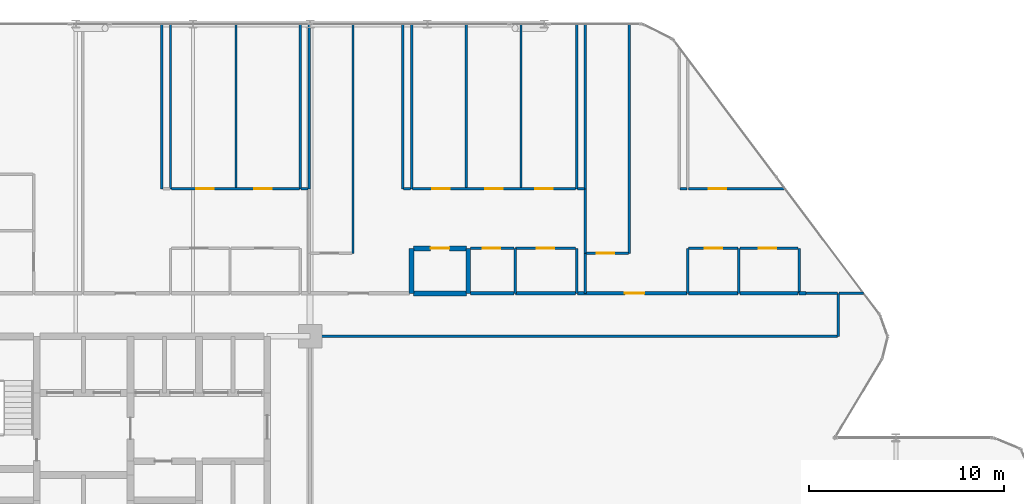
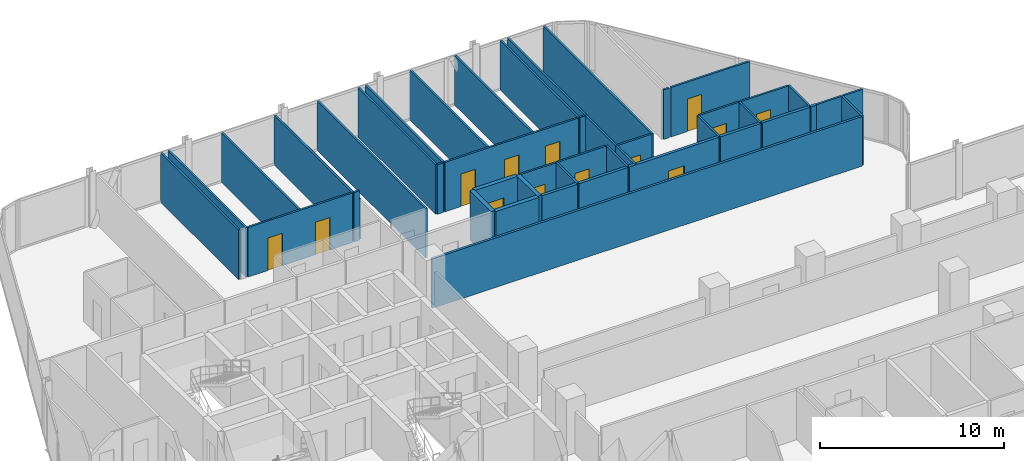
# One storey, part 31 of 33: 46 walls, 13 doors, 13 openings.
"""IFC4 building model written with IfcOpenShell, lengths in metres."""

import ifcopenshell
import ifcopenshell.guid

model = None  # the IFC model being written
_history = None  # IfcOwnerHistory: only IFC2X3 demands one
_inside = {}  # id of a spatial element -> (the spatial element, [elements in it])
_under = {}  # id of a project, library or spatial element -> (it, [spatial elements below it])
_declared = {}  # id of a project -> (the project, [libraries it declares])
_typed = {}  # id of a type object -> (the type object, [elements of that type])
_made_of = {}  # id of a material, layer set ... -> (it, [elements and type objects made of it])


def new_model(schema):
    """Start an empty IFC model of exactly this schema.

    Asked for "IFC4X3", IfcOpenShell would pick the latest addendum, in which some entities
    have other attributes; the version numbers below select the first issue.
    IFC2X3 requires an IfcOwnerHistory on every rooted entity: one is made here for all.
    """
    global model, _history
    if schema == "IFC4X3":
        model = ifcopenshell.file(schema_version=(4, 3, 0, 0))
    else:
        model = ifcopenshell.file(schema=schema)
    _inside.clear()
    _under.clear()
    _declared.clear()
    _typed.clear()
    _made_of.clear()
    _history = None
    if model.schema == "IFC2X3":
        org = make("IfcOrganization", Name="unknown")
        user = make(
            "IfcPersonAndOrganization",
            ThePerson=make("IfcPerson", FamilyName="unknown"),
            TheOrganization=org,
        )
        app = make(
            "IfcApplication",
            ApplicationDeveloper=org,
            Version="unknown",
            ApplicationFullName="unknown",
            ApplicationIdentifier="unknown",
        )
        _history = make(
            "IfcOwnerHistory",
            OwningUser=user,
            OwningApplication=app,
            ChangeAction="ADDED",
            CreationDate=0,
        )
    return model


def make(cls, **values):
    """One entity of the class cls with the attributes given. An attribute that is None is left unset."""
    return model.create_entity(
        cls, **{name: value for name, value in values.items() if value is not None}
    )


def rooted(cls, **values):
    """An entity with a GlobalId (a new one), such as an element, a storey or a relation."""
    return make(cls, GlobalId=ifcopenshell.guid.new(), OwnerHistory=_history, **values)


def si_unit(unit_type, name, prefix=None):
    """IfcSIUnit, for example si_unit("LENGTHUNIT", "METRE", prefix="MILLI")."""
    return make("IfcSIUnit", UnitType=unit_type, Prefix=prefix, Name=name)


def assignment(units):
    """IfcUnitAssignment: the units of a project."""
    return None if units is None else make("IfcUnitAssignment", Units=units)


def point(xyz):
    """IfcCartesianPoint."""
    return None if xyz is None else make("IfcCartesianPoint", Coordinates=xyz)


def direction(xyz):
    """IfcDirection."""
    return None if xyz is None else make("IfcDirection", DirectionRatios=xyz)


def frame(location, z_axis=None, x_axis=None):
    """IfcAxis2Placement3D, a coordinate frame: its origin and axes. An axis left out is left unset."""
    return make(
        "IfcAxis2Placement3D",
        Location=point(location),
        Axis=direction(z_axis),
        RefDirection=direction(x_axis),
    )


def frame_2d(location, x_axis=None):
    """IfcAxis2Placement2D, a coordinate frame in the plane: its origin and x axis."""
    return make(
        "IfcAxis2Placement2D", Location=point(location), RefDirection=direction(x_axis)
    )


def origin():
    """The frame at (0, 0, 0) with its axes left unset."""
    return frame((0.0, 0.0, 0.0))


def place(relative_to, where):
    """IfcLocalPlacement: puts the frame where relative to a parent placement (None: the world)."""
    return make(
        "IfcLocalPlacement", PlacementRelTo=relative_to, RelativePlacement=where
    )


def context(
    kind, dimensions, precision=None, world=None, true_north=None, identifier=None
):
    """IfcGeometricRepresentationContext, for example the 3D "Model" context."""
    return make(
        "IfcGeometricRepresentationContext",
        ContextIdentifier=identifier,
        ContextType=kind,
        CoordinateSpaceDimension=dimensions,
        Precision=precision,
        WorldCoordinateSystem=world,
        TrueNorth=true_north,
    )


def subcontext(parent, identifier, kind, view, scale=None):
    """IfcGeometricRepresentationSubContext, for example "Body" below "Model"."""
    return make(
        "IfcGeometricRepresentationSubContext",
        ContextIdentifier=identifier,
        ContextType=kind,
        ParentContext=parent,
        TargetScale=scale,
        TargetView=view,
    )


def project(units=None, contexts=None):
    """IfcProject with its units and contexts."""
    return rooted(
        "IfcProject",
        Name="project",
        RepresentationContexts=contexts,
        UnitsInContext=assignment(units),
    )


def spatial(cls, under=None, at=None, **own):
    """A site, building, storey or space (cls), placed at a placement, below another one or the project."""
    s = rooted(cls, ObjectPlacement=at, **own)
    if under is not None:
        _under.setdefault(under.id(), (under, []))[1].append(s)
    return s


def profile(cls, at=None, kind="AREA", **sizes):
    """A parametric profile (cls). Its sizes go by their IFC names, for example OverallWidth=200.0."""
    return make(cls, ProfileType=kind, Position=at, **sizes)


def rectangle(**sizes):
    """IfcRectangleProfileDef."""
    return profile("IfcRectangleProfileDef", **sizes)


def extrude(swept, where, along, depth):
    """IfcExtrudedAreaSolid: the profile swept, set in the frame where, extruded along a direction by depth."""
    return make(
        "IfcExtrudedAreaSolid",
        SweptArea=swept,
        Position=where,
        ExtrudedDirection=direction(along),
        Depth=depth,
    )


def shape(context_of_items, identifier, shape_type, items):
    """IfcShapeRepresentation: the items that make up one representation, for example the "Body"."""
    return make(
        "IfcShapeRepresentation",
        ContextOfItems=context_of_items,
        RepresentationIdentifier=identifier,
        RepresentationType=shape_type,
        Items=items,
    )


def material(Name=None, Category=None):
    """IfcMaterial."""
    return make("IfcMaterial", Name=Name, Category=Category)


def layer(
    of_material, thickness, ventilated=None, Name=None, Category=None, Priority=None
):
    """IfcMaterialLayer: one layer of a wall or slab, of a material (None: an air gap)."""
    return make(
        "IfcMaterialLayer",
        Material=of_material,
        LayerThickness=thickness,
        IsVentilated=ventilated,
        Name=Name,
        Category=Category,
        Priority=Priority,
    )


def layer_set(layers, Name=None):
    """IfcMaterialLayerSet."""
    return make("IfcMaterialLayerSet", MaterialLayers=layers, LayerSetName=Name)


def made_of(thing, what):
    """Note that an element or type object is made of a material, layer set ...; save() writes the relation."""
    if what is not None:
        _made_of.setdefault(what.id(), (what, []))[1].append(thing)
    return thing


def type_object(cls, material=None, **own):
    """A type object (cls), such as IfcWallType, which elements share."""
    return made_of(rooted(cls, **own), material)


def element(
    cls,
    number,
    at=None,
    inside=None,
    cuts=None,
    type_object=None,
    material=None,
    context=None,
    identifier="Body",
    shape_type=None,
    held_by="IfcProductDefinitionShape",
    body=None,
    shapes=None,
    **own,
):
    """One element of the class cls, such as IfcWall. Its Tag is "e" and its number.

    at: its placement. inside: the storey or other place that contains it. cuts: it is an
    opening in that element (IfcRelVoidsElement). A single representation is given by context,
    identifier, shape_type and body (its items); several are given by shapes. held_by: the class
    of the entity that holds the representations. save() writes the other relations.
    """
    e = rooted(cls, Tag="e%d" % number, ObjectPlacement=at, **own)
    if body is not None:
        shapes = [shape(context, identifier, shape_type, body)]
    if shapes is not None:
        e.Representation = make(held_by, Representations=shapes)
    if inside is not None:
        _inside.setdefault(inside.id(), (inside, []))[1].append(e)
    if cuts is not None:
        rooted(
            "IfcRelVoidsElement", RelatingBuildingElement=cuts, RelatedOpeningElement=e
        )
    if type_object is not None:
        _typed.setdefault(type_object.id(), (type_object, []))[1].append(e)
    return made_of(e, material)


def fill(opening, filler):
    """IfcRelFillsElement: the door or window that sits in an opening."""
    return rooted(
        "IfcRelFillsElement",
        RelatingOpeningElement=opening,
        RelatedBuildingElement=filler,
    )


def aggregate(whole, parts):
    """IfcRelAggregates: a whole, such as a stair, and the parts it consists of."""
    return rooted("IfcRelAggregates", RelatingObject=whole, RelatedObjects=parts)


def save(model, path):
    """Write the relations noted so far, then the file.

    IfcRelAggregates (storeys below a building ...), IfcRelContainedInSpatialStructure (elements
    in a storey), IfcRelDefinesByType, IfcRelAssociatesMaterial and IfcRelDeclares: one each for
    every whole, place, type object, material and project.
    """
    for whole, parts in _under.values():
        aggregate(whole, parts)
    for where, things in _inside.values():
        rooted(
            "IfcRelContainedInSpatialStructure",
            RelatedElements=things,
            RelatingStructure=where,
        )
    for kind, things in _typed.values():
        rooted("IfcRelDefinesByType", RelatedObjects=things, RelatingType=kind)
    for what, things in _made_of.values():
        rooted("IfcRelAssociatesMaterial", RelatedObjects=things, RelatingMaterial=what)
    for by, libraries in _declared.values():
        rooted("IfcRelDeclares", RelatingContext=by, RelatedDefinitions=libraries)
    model.write(path)


model = new_model("IFC4")

# Units and contexts
model_context = context("Model", 3, precision=1e-05, world=origin(), true_north=direction((0.0, 1.0)))
body_context = subcontext(model_context, "Body", "Model", "MODEL_VIEW")
ifc_project = project(units=[si_unit("LENGTHUNIT", "METRE"), si_unit("AREAUNIT", "SQUARE_METRE"), si_unit("VOLUMEUNIT", "CUBIC_METRE"), si_unit("PLANEANGLEUNIT", "RADIAN"), si_unit("MASSUNIT", "GRAM", prefix="KILO")], contexts=[model_context])

# Site, building, storey
site_placement = place(None, origin())
site = spatial("IfcSite", under=ifc_project, at=site_placement, CompositionType="ELEMENT")
building_placement = place(site_placement, origin())
building = spatial("IfcBuilding", under=site, at=building_placement, Name="Keshet Zoharim Tower", CompositionType="ELEMENT")
storey_placement = place(building_placement, frame((0.0, 0.0, 57.300048828125)))
storey = spatial("IfcBuildingStorey", under=building, at=storey_placement, Name="L13", CompositionType="ELEMENT", Elevation=57.300048828125)

# Walls
ifc_material_1 = material(Name="Gypsum Plasterboard", Category="gypsum")
ifc_layer_1 = layer(ifc_material_1, 0.14990234375)
ifc_layer_set_1 = layer_set([ifc_layer_1], Name="Gypsum Plasterboard")
wall_type_1 = type_object("IfcWallType", Name="WL-CLIN-150", PredefinedType="STANDARD", material=ifc_layer_set_1)
wall_1_placement = place(storey_placement, frame((33.070068359375, 37.89990234375, 0.0), z_axis=(0.0, 0.0, 1.0), x_axis=(1.0, 0.0, 0.0)))
element("IfcWall", 1, at=wall_1_placement, inside=storey, type_object=wall_type_1, Name="L13 Interior Wall 201", PredefinedType="STANDARD", context=body_context, shape_type="SweptSolid", body=[
    extrude(rectangle(XDim=26.934814453125, YDim=0.14990234375, at=frame_2d((13.46728515625, 0.0))), origin(), (0.0, 0.0, 1.0), 3.280029296875),
])
ifc_layer_2 = layer(ifc_material_1, 0.179931640625)
ifc_layer_set_2 = layer_set([ifc_layer_2], Name="Gypsum Plasterboard")
wall_type_2 = type_object("IfcWallType", Name="WL-CORR-180", PredefinedType="STANDARD", material=ifc_layer_set_2)
wall_2_placement = place(storey_placement, frame((41.22412109375, 40.10009765625, 0.0), z_axis=(0.0, 0.0, 1.0), x_axis=(1.0, 0.0, 0.0)))
element("IfcWall", 2, at=wall_2_placement, inside=storey, type_object=wall_type_2, Name="L13 Interior Wall 212", PredefinedType="STANDARD", context=body_context, shape_type="SweptSolid", body=[
    extrude(rectangle(XDim=2.2109375, YDim=0.179931640625, at=frame_2d((1.10546875, 0.0))), origin(), (0.0, 0.0, 1.0), 3.280029296875),
])
wall_3_placement = place(storey_placement, frame((43.52490234375, 40.10009765625, 0.0), z_axis=(0.0, 0.0, 1.0), x_axis=(1.0, 0.0, 0.0)))
element("IfcWall", 3, at=wall_3_placement, inside=storey, type_object=wall_type_2, Name="L13 Interior Wall 213", PredefinedType="STANDARD", context=body_context, shape_type="SweptSolid", body=[
    extrude(rectangle(XDim=3.070068359375, YDim=0.179931640625, at=frame_2d((1.53515625, 0.0))), origin(), (0.0, 0.0, 1.0), 3.280029296875),
])

# Wall, opening, door
wall_4_placement = place(storey_placement, frame((46.68505859375, 40.10009765625, 0.0), z_axis=(0.0, 0.0, 1.0), x_axis=(1.0, 0.0, 0.0)))
wall_4 = element("IfcWall", 4, at=wall_4_placement, inside=storey, type_object=wall_type_2, Name="L13 Interior Wall 214", PredefinedType="STANDARD", context=body_context, shape_type="SweptSolid", body=[
    extrude(rectangle(XDim=5.60986328125, YDim=0.179931640625, at=frame_2d((2.804931640625, 0.0))), origin(), (0.0, 0.0, 1.0), 3.280029296875),
])
opening_1_placement = place(wall_4_placement, frame((2.43505859375, 0.0, 0.0)))
opening_1 = element("IfcOpeningElement", 5, at=opening_1_placement, cuts=wall_4, Name="Opening D-F310", PredefinedType="OPENING", context=body_context, shape_type="SweptSolid", body=[
    extrude(rectangle(XDim=1.0, YDim=2.14990234375, at=frame_2d((0.5, 1.074951171875))), frame((0.0, 0.10009765625, 0.0), z_axis=(0.0, -1.0, 0.0), x_axis=(1.0, 0.0, 0.0)), (0.0, 0.0, 1.0), 0.199951171875),
])
ifc_material_2 = material(Name="Hardwood Timber", Category="wood")
door_type_1 = type_object("IfcDoorType", Name="DR-FD30-100", OperationType="NOTDEFINED", PredefinedType="DOOR", material=ifc_material_2)
door_1_placement = place(opening_1_placement, origin())
door_1 = element("IfcDoor", 6, at=door_1_placement, inside=storey, type_object=door_type_1, Name="Apartment 1308 Entrance Door", OperationType="SINGLE_SWING_RIGHT", OverallHeight=2.14990234375, OverallWidth=1.0, PredefinedType="DOOR", context=body_context, shape_type="SweptSolid", body=[
    extrude(rectangle(XDim=1.0, YDim=2.14990234375, at=frame_2d((0.5, 1.074951171875))), frame((0.0, 0.02490234375, 0.0), z_axis=(0.0, -1.0, 0.0), x_axis=(1.0, 0.0, 0.0)), (0.0, 0.0, 1.0), 0.050048828125),
])
fill(opening_1, door_1)

# Walls
wall_5_placement = place(storey_placement, frame((52.385009765625, 40.10009765625, 0.0), z_axis=(0.0, 0.0, 1.0), x_axis=(1.0, 0.0, 0.0)))
element("IfcWall", 7, at=wall_5_placement, inside=storey, type_object=wall_type_2, Name="L13 Interior Wall 215", PredefinedType="STANDARD", context=body_context, shape_type="SweptSolid", body=[
    extrude(rectangle(XDim=2.531005859375, YDim=0.179931640625, at=frame_2d((1.265625, 0.0))), origin(), (0.0, 0.0, 1.0), 3.280029296875),
])
wall_6_placement = place(storey_placement, frame((55.006103515625, 40.10009765625, 0.0), z_axis=(0.0, 0.0, 1.0), x_axis=(1.0, 0.0, 0.0)))
element("IfcWall", 8, at=wall_6_placement, inside=storey, type_object=wall_type_2, Name="L13 Interior Wall 216", PredefinedType="STANDARD", context=body_context, shape_type="SweptSolid", body=[
    extrude(rectangle(XDim=2.98681640625, YDim=0.179931640625, at=frame_2d((1.493408203125, 0.0))), origin(), (0.0, 0.0, 1.0), 3.280029296875),
])
wall_7_placement = place(storey_placement, frame((58.050048828125, 40.10009765625, 0.0), z_axis=(0.0, 0.0, 1.0), x_axis=(1.0, 0.0, 0.0)))
element("IfcWall", 9, at=wall_7_placement, inside=storey, type_object=wall_type_2, Name="L13 Interior Wall 217", PredefinedType="STANDARD", context=body_context, shape_type="SweptSolid", body=[
    extrude(rectangle(XDim=0.349853515625, YDim=0.179931640625, at=frame_2d((0.1748046875, 0.0))), origin(), (0.0, 0.0, 1.0), 3.280029296875),
])
ifc_material_3 = material(Name="Concrete C50/60", Category="concrete")
ifc_layer_3 = layer(ifc_material_3, 0.25)
ifc_layer_set_3 = layer_set([ifc_layer_3], Name="Concrete C50/60")
wall_type_3 = type_object("IfcWallType", Name="WL-MAMAD-250", PredefinedType="STANDARD", material=ifc_layer_set_3)
for number, where, z_axis, x_axis, name in (
    (10, (38.199951171875, 40.10009765625, 0.0), (0.0, 0.0, 1.0), (0.0, 1.0, 0.0), "L13 Interior Wall 079"),
    (11, (41.10009765625, 40.10009765625, 0.0), (0.0, 0.0, 1.0), (0.0, 1.0, 0.0), "L13 Interior Wall 084"),
):
    element("IfcWall", number, at=place(storey_placement, frame(where, z_axis=z_axis, x_axis=x_axis)), inside=storey, type_object=wall_type_3, Name=name, PredefinedType="STANDARD", context=body_context, shape_type="SweptSolid", body=[
        extrude(rectangle(XDim=2.2998046875, YDim=0.25, at=frame_2d((1.14990234375, 0.0))), origin(), (0.0, 0.0, 1.0), 3.280029296875),
    ])
wall_8_placement = place(storey_placement, frame((38.300048828125, 40.10009765625, 0.0), z_axis=(0.0, 0.0, 1.0), x_axis=(1.0, 0.0, 0.0)))
element("IfcWall", 12, at=wall_8_placement, inside=storey, type_object=wall_type_3, Name="L13 Interior Wall 211", PredefinedType="STANDARD", context=body_context, shape_type="SweptSolid", body=[
    extrude(rectangle(XDim=2.703857421875, YDim=0.25, at=frame_2d((1.35205078125, 0.0))), origin(), (0.0, 0.0, 1.0), 3.280029296875),
])

# Wall, opening, door
wall_9_placement = place(storey_placement, frame((38.300048828125, 42.39990234375, 0.0), z_axis=(0.0, 0.0, 1.0), x_axis=(1.0, 0.0, 0.0)))
wall_9 = element("IfcWall", 13, at=wall_9_placement, inside=storey, type_object=wall_type_3, Name="L13 Interior Wall 224", PredefinedType="STANDARD", context=body_context, shape_type="SweptSolid", body=[
    extrude(rectangle(XDim=2.703857421875, YDim=0.25, at=frame_2d((1.35205078125, 0.0))), origin(), (0.0, 0.0, 1.0), 3.280029296875),
])
opening_2_placement = place(wall_9_placement, frame((0.876953125, 0.0, 0.0)))
opening_2 = element("IfcOpeningElement", 14, at=opening_2_placement, cuts=wall_9, Name="Opening D-F695", PredefinedType="OPENING", context=body_context, shape_type="SweptSolid", body=[
    extrude(rectangle(XDim=0.949951171875, YDim=2.14990234375, at=frame_2d((0.47509765625, 1.074951171875))), frame((0.0, 0.135009765625, 0.0), z_axis=(0.0, -1.0, 0.0), x_axis=(1.0, 0.0, 0.0)), (0.0, 0.0, 1.0), 0.27001953125),
])
door_type_2 = type_object("IfcDoorType", Name="DR-FD60-095", OperationType="NOTDEFINED", PredefinedType="DOOR", material=ifc_material_2)
door_2_placement = place(opening_2_placement, origin())
door_2 = element("IfcDoor", 15, at=door_2_placement, inside=storey, type_object=door_type_2, Name="Apartment 1307 Study and Shelter Room Door", OperationType="SINGLE_SWING_LEFT", OverallHeight=2.14990234375, OverallWidth=0.949951171875, PredefinedType="DOOR", context=body_context, shape_type="SweptSolid", body=[
    extrude(rectangle(XDim=0.949951171875, YDim=2.14990234375, at=frame_2d((0.47509765625, 1.074951171875))), frame((0.0, 0.02490234375, 0.0), z_axis=(0.0, -1.0, 0.0), x_axis=(1.0, 0.0, 0.0)), (0.0, 0.0, 1.0), 0.050048828125),
])
fill(opening_2, door_2)

# Walls
ifc_layer_4 = layer(ifc_material_1, 0.1201171875)
ifc_layer_set_4 = layer_set([ifc_layer_4], Name="Gypsum Plasterboard")
wall_type_4 = type_object("IfcWallType", Name="WL-PART-120", PredefinedType="PARTITIONING", material=ifc_layer_set_4)
for number, where, z_axis, x_axis, name in (
    (16, (25.39990234375, 45.449951171875, 0.0), (0.0, 0.0, 1.0), (0.0, 1.0, 0.0), "L13 Interior Wall 041"),
    (17, (25.85009765625, 45.449951171875, 0.0), (0.0, 0.0, 1.0), (0.0, 1.0, 0.0), "L13 Interior Wall 044"),
    (18, (29.199951171875, 45.449951171875, 0.0), (0.0, 0.0, 1.0), (0.0, 1.0, 0.0), "L13 Interior Wall 057"),
    (19, (32.5, 45.449951171875, 0.0), (0.0, 0.0, 1.0), (0.0, 1.0, 0.0), "L13 Interior Wall 067"),
):
    element("IfcWall", number, at=place(storey_placement, frame(where, z_axis=z_axis, x_axis=x_axis)), inside=storey, type_object=wall_type_4, Name=name, PredefinedType="PARTITIONING", context=body_context, shape_type="SweptSolid", body=[
        extrude(rectangle(XDim=8.43994140625, YDim=0.1201171875, at=frame_2d((4.219970703125, 0.0))), origin(), (0.0, 0.0, 1.0), 3.280029296875),
    ])
wall_10_placement = place(storey_placement, frame((32.949951171875, 45.449951171875, 0.0), z_axis=(0.0, 0.0, 1.0), x_axis=(0.0, 1.0, 0.0)))
element("IfcWall", 20, at=wall_10_placement, inside=storey, type_object=wall_type_4, Name="L13 Interior Wall 072", PredefinedType="PARTITIONING", context=body_context, shape_type="SweptSolid", body=[
    extrude(rectangle(XDim=8.43994140625, YDim=0.1201171875, at=frame_2d((4.219970703125, 0.0))), origin(), (0.0, 0.0, 1.0), 2.679931640625),
])
wall_11_placement = place(storey_placement, frame((35.199951171875, 42.14990234375, 0.0), z_axis=(0.0, 0.0, 1.0), x_axis=(0.0, 1.0, 0.0)))
element("IfcWall", 21, at=wall_11_placement, inside=storey, type_object=wall_type_4, Name="L13 Interior Wall 075", PredefinedType="PARTITIONING", context=body_context, shape_type="SweptSolid", body=[
    extrude(rectangle(XDim=11.739990234375, YDim=0.1201171875, at=frame_2d((5.8701171875, 0.0))), origin(), (0.0, 0.0, 1.0), 3.280029296875),
])
for number, where, z_axis, x_axis, name in (
    (22, (37.75, 45.449951171875, 0.0), (0.0, 0.0, 1.0), (0.0, 1.0, 0.0), "L13 Interior Wall 078"),
    (23, (38.199951171875, 45.449951171875, 0.0), (0.0, 0.0, 1.0), (0.0, 1.0, 0.0), "L13 Interior Wall 080"),
    (24, (41.0, 45.449951171875, 0.0), (0.0, 0.0, 1.0), (0.0, 1.0, 0.0), "L13 Interior Wall 083"),
    (25, (43.800048828125, 45.449951171875, 0.0), (0.0, 0.0, 1.0), (0.0, 1.0, 0.0), "L13 Interior Wall 087"),
):
    element("IfcWall", number, at=place(storey_placement, frame(where, z_axis=z_axis, x_axis=x_axis)), inside=storey, type_object=wall_type_4, Name=name, PredefinedType="PARTITIONING", context=body_context, shape_type="SweptSolid", body=[
        extrude(rectangle(XDim=8.43994140625, YDim=0.1201171875, at=frame_2d((4.219970703125, 0.0))), origin(), (0.0, 0.0, 1.0), 3.280029296875),
    ])
wall_12_placement = place(storey_placement, frame((46.64990234375, 40.10009765625, 0.0), z_axis=(0.0, 0.0, 1.0), x_axis=(0.0, 1.0, 0.0)))
element("IfcWall", 26, at=wall_12_placement, inside=storey, type_object=wall_type_4, Name="L13 Interior Wall 093", PredefinedType="PARTITIONING", context=body_context, shape_type="SweptSolid", body=[
    extrude(rectangle(XDim=2.2998046875, YDim=0.1201171875, at=frame_2d((1.14990234375, 0.0))), origin(), (0.0, 0.0, 1.0), 3.280029296875),
])
wall_13_placement = place(storey_placement, frame((46.64990234375, 45.449951171875, 0.0), z_axis=(0.0, 0.0, 1.0), x_axis=(0.0, 1.0, 0.0)))
element("IfcWall", 27, at=wall_13_placement, inside=storey, type_object=wall_type_4, Name="L13 Interior Wall 094", PredefinedType="PARTITIONING", context=body_context, shape_type="SweptSolid", body=[
    extrude(rectangle(XDim=8.43994140625, YDim=0.1201171875, at=frame_2d((4.219970703125, 0.0))), origin(), (0.0, 0.0, 1.0), 3.280029296875),
])
wall_14_placement = place(storey_placement, frame((47.10009765625, 40.10009765625, 0.0), z_axis=(0.0, 0.0, 1.0), x_axis=(0.0, 1.0, 0.0)))
element("IfcWall", 28, at=wall_14_placement, inside=storey, type_object=wall_type_4, Name="L13 Interior Wall 096", PredefinedType="PARTITIONING", context=body_context, shape_type="SweptSolid", body=[
    extrude(rectangle(XDim=2.0498046875, YDim=0.1201171875, at=frame_2d((1.02490234375, 0.0))), origin(), (0.0, 0.0, 1.0), 3.280029296875),
])
wall_15_placement = place(storey_placement, frame((47.10009765625, 42.14990234375, 0.0), z_axis=(0.0, 0.0, 1.0), x_axis=(0.0, 1.0, 0.0)))
element("IfcWall", 29, at=wall_15_placement, inside=storey, type_object=wall_type_4, Name="L13 Interior Wall 097", PredefinedType="PARTITIONING", context=body_context, shape_type="SweptSolid", body=[
    extrude(rectangle(XDim=3.300048828125, YDim=0.1201171875, at=frame_2d((1.64990234375, 0.0))), origin(), (0.0, 0.0, 1.0), 3.280029296875),
])
wall_16_placement = place(storey_placement, frame((47.10009765625, 45.449951171875, 0.0), z_axis=(0.0, 0.0, 1.0), x_axis=(0.0, 1.0, 0.0)))
element("IfcWall", 30, at=wall_16_placement, inside=storey, type_object=wall_type_4, Name="L13 Interior Wall 098", PredefinedType="PARTITIONING", context=body_context, shape_type="SweptSolid", body=[
    extrude(rectangle(XDim=8.43994140625, YDim=0.1201171875, at=frame_2d((4.219970703125, 0.0))), origin(), (0.0, 0.0, 1.0), 3.280029296875),
])
wall_17_placement = place(storey_placement, frame((49.35009765625, 42.14990234375, 0.0), z_axis=(0.0, 0.0, 1.0), x_axis=(0.0, 1.0, 0.0)))
element("IfcWall", 31, at=wall_17_placement, inside=storey, type_object=wall_type_4, Name="L13 Interior Wall 100", PredefinedType="PARTITIONING", context=body_context, shape_type="SweptSolid", body=[
    extrude(rectangle(XDim=11.739990234375, YDim=0.1201171875, at=frame_2d((5.8701171875, 0.0))), origin(), (0.0, 0.0, 1.0), 3.280029296875),
])
wall_18_placement = place(storey_placement, frame((52.35009765625, 40.10009765625, 0.0), z_axis=(0.0, 0.0, 1.0), x_axis=(0.0, 1.0, 0.0)))
element("IfcWall", 32, at=wall_18_placement, inside=storey, type_object=wall_type_4, Name="L13 Interior Wall 104", PredefinedType="PARTITIONING", context=body_context, shape_type="SweptSolid", body=[
    extrude(rectangle(XDim=2.2998046875, YDim=0.1201171875, at=frame_2d((1.14990234375, 0.0))), origin(), (0.0, 0.0, 1.0), 3.280029296875),
])
wall_19_placement = place(storey_placement, frame((60.050048828125, 37.889892578125, 0.0), z_axis=(0.0, 0.0, 1.0), x_axis=(0.0, 1.0, 0.0)))
element("IfcWall", 33, at=wall_19_placement, inside=storey, type_object=wall_type_4, Name="L13 Interior Wall 115", PredefinedType="PARTITIONING", context=body_context, shape_type="SweptSolid", body=[
    extrude(rectangle(XDim=2.2001953125, YDim=0.1201171875, at=frame_2d((1.10009765625, 0.0))), origin(), (0.0, 0.0, 1.0), 3.280029296875),
])
wall_20_placement = place(storey_placement, frame((58.39990234375, 40.10009765625, 0.0), z_axis=(0.0, 0.0, 1.0), x_axis=(1.0, 0.0, 0.0)))
element("IfcWall", 34, at=wall_20_placement, inside=storey, type_object=wall_type_4, Name="L13 Interior Wall 218", PredefinedType="PARTITIONING", context=body_context, shape_type="SweptSolid", body=[
    extrude(rectangle(XDim=1.60498046875, YDim=0.1201171875, at=frame_2d((0.802490234375, 0.0))), origin(), (0.0, 0.0, 1.0), 3.280029296875),
])
wall_21_placement = place(storey_placement, frame((60.094970703125, 40.10009765625, 0.0), z_axis=(0.0, 0.0, 1.0), x_axis=(1.0, 0.0, 0.0)))
element("IfcWall", 35, at=wall_21_placement, inside=storey, type_object=wall_type_4, Name="L13 Interior Wall 219", PredefinedType="PARTITIONING", context=body_context, shape_type="SweptSolid", body=[
    extrude(rectangle(XDim=1.2451171875, YDim=0.1201171875, at=frame_2d((0.62255859375, 0.0))), origin(), (0.0, 0.0, 1.0), 3.280029296875),
])

# Wall, opening, door
wall_22_placement = place(storey_placement, frame((47.135009765625, 42.14990234375, 0.0), z_axis=(0.0, 0.0, 1.0), x_axis=(1.0, 0.0, 0.0)))
wall_22 = element("IfcWall", 36, at=wall_22_placement, inside=storey, type_object=wall_type_4, Name="L13 Interior Wall 221", PredefinedType="PARTITIONING", context=body_context, shape_type="SweptSolid", body=[
    extrude(rectangle(XDim=2.159912109375, YDim=0.1201171875, at=frame_2d((1.080078125, 0.0))), origin(), (0.0, 0.0, 1.0), 3.280029296875),
])
opening_3_placement = place(wall_22_placement, frame((0.552978515625, 0.0, 0.0)))
opening_3 = element("IfcOpeningElement", 37, at=opening_3_placement, cuts=wall_22, Name="Opening D-IN90", PredefinedType="OPENING", context=body_context, shape_type="SweptSolid", body=[
    extrude(rectangle(XDim=0.89990234375, YDim=2.14990234375, at=frame_2d((0.449951171875, 1.074951171875))), frame((0.0, 0.070068359375, 0.0), z_axis=(0.0, -1.0, 0.0), x_axis=(1.0, 0.0, 0.0)), (0.0, 0.0, 1.0), 0.14013671875),
])
door_type_3 = type_object("IfcDoorType", Name="DR-INT-090", OperationType="NOTDEFINED", PredefinedType="DOOR", material=ifc_material_2)
door_3_placement = place(opening_3_placement, origin())
door_3 = element("IfcDoor", 38, at=door_3_placement, inside=storey, type_object=door_type_3, Name="Apartment 1308 Formal Dining Room Door", OperationType="SINGLE_SWING_RIGHT", OverallHeight=2.14990234375, OverallWidth=0.89990234375, PredefinedType="DOOR", context=body_context, shape_type="SweptSolid", body=[
    extrude(rectangle(XDim=0.89990234375, YDim=2.14990234375, at=frame_2d((0.449951171875, 1.074951171875))), frame((0.0, 0.02490234375, 0.0), z_axis=(0.0, -1.0, 0.0), x_axis=(1.0, 0.0, 0.0)), (0.0, 0.0, 1.0), 0.050048828125),
])
fill(opening_3, door_3)

wall_23_placement = place(storey_placement, frame((43.52490234375, 42.39990234375, 0.0), z_axis=(0.0, 0.0, 1.0), x_axis=(1.0, 0.0, 0.0)))
wall_23 = element("IfcWall", 39, at=wall_23_placement, inside=storey, type_object=wall_type_4, Name="L13 Interior Wall 226", PredefinedType="PARTITIONING", context=body_context, shape_type="SweptSolid", body=[
    extrude(rectangle(XDim=3.070068359375, YDim=0.1201171875, at=frame_2d((1.53515625, 0.0))), origin(), (0.0, 0.0, 1.0), 3.280029296875),
])
opening_4_placement = place(wall_23_placement, frame((1.0849609375, 0.0, 0.0)))
opening_4 = element("IfcOpeningElement", 40, at=opening_4_placement, cuts=wall_23, Name="Opening D-IN90", PredefinedType="OPENING", context=body_context, shape_type="SweptSolid", body=[
    extrude(rectangle(XDim=0.89990234375, YDim=2.14990234375, at=frame_2d((0.449951171875, 1.074951171875))), frame((0.0, 0.070068359375, 0.0), z_axis=(0.0, -1.0, 0.0), x_axis=(1.0, 0.0, 0.0)), (0.0, 0.0, 1.0), 0.14013671875),
])
door_4_placement = place(opening_4_placement, origin())
door_4 = element("IfcDoor", 41, at=door_4_placement, inside=storey, type_object=door_type_3, Name="Apartment 1307 Kitchen Door", OperationType="SINGLE_SWING_LEFT", OverallHeight=2.14990234375, OverallWidth=0.89990234375, PredefinedType="DOOR", context=body_context, shape_type="SweptSolid", body=[
    extrude(rectangle(XDim=0.89990234375, YDim=2.14990234375, at=frame_2d((0.449951171875, 1.074951171875))), frame((0.0, 0.02490234375, 0.0), z_axis=(0.0, -1.0, 0.0), x_axis=(1.0, 0.0, 0.0)), (0.0, 0.0, 1.0), 0.050048828125),
])
fill(opening_4, door_4)

wall_24_placement = place(storey_placement, frame((52.385009765625, 42.39990234375, 0.0), z_axis=(0.0, 0.0, 1.0), x_axis=(1.0, 0.0, 0.0)))
wall_24 = element("IfcWall", 42, at=wall_24_placement, inside=storey, type_object=wall_type_4, Name="L13 Interior Wall 227", PredefinedType="PARTITIONING", context=body_context, shape_type="SweptSolid", body=[
    extrude(rectangle(XDim=2.531005859375, YDim=0.1201171875, at=frame_2d((1.265625, 0.0))), origin(), (0.0, 0.0, 1.0), 3.280029296875),
])
opening_5_placement = place(wall_24_placement, frame((0.81591796875, 0.0, 0.0)))
opening_5 = element("IfcOpeningElement", 43, at=opening_5_placement, cuts=wall_24, Name="Opening D-IN90", PredefinedType="OPENING", context=body_context, shape_type="SweptSolid", body=[
    extrude(rectangle(XDim=0.89990234375, YDim=2.14990234375, at=frame_2d((0.449951171875, 1.074951171875))), frame((0.0, 0.070068359375, 0.0), z_axis=(0.0, -1.0, 0.0), x_axis=(1.0, 0.0, 0.0)), (0.0, 0.0, 1.0), 0.14013671875),
])
door_5_placement = place(opening_5_placement, origin())
door_5 = element("IfcDoor", 44, at=door_5_placement, inside=storey, type_object=door_type_3, Name="Apartment 1308 Kitchen Door", OperationType="SINGLE_SWING_RIGHT", OverallHeight=2.14990234375, OverallWidth=0.89990234375, PredefinedType="DOOR", context=body_context, shape_type="SweptSolid", body=[
    extrude(rectangle(XDim=0.89990234375, YDim=2.14990234375, at=frame_2d((0.449951171875, 1.074951171875))), frame((0.0, 0.02490234375, 0.0), z_axis=(0.0, -1.0, 0.0), x_axis=(1.0, 0.0, 0.0)), (0.0, 0.0, 1.0), 0.050048828125),
])
fill(opening_5, door_5)

# Wall, openings, doors
wall_25_placement = place(storey_placement, frame((25.905029296875, 45.449951171875, 0.0), z_axis=(0.0, 0.0, 1.0), x_axis=(1.0, 0.0, 0.0)))
wall_25 = element("IfcWall", 45, at=wall_25_placement, inside=storey, type_object=wall_type_4, Name="L13 Interior Wall 231", PredefinedType="PARTITIONING", context=body_context, shape_type="SweptSolid", body=[
    extrude(rectangle(XDim=6.5400390625, YDim=0.1201171875, at=frame_2d((3.27001953125, 0.0))), origin(), (0.0, 0.0, 1.0), 3.280029296875),
])
opening_6_placement = place(wall_25_placement, frame((1.26611328125, 0.0, 0.0)))
opening_6 = element("IfcOpeningElement", 46, at=opening_6_placement, cuts=wall_25, Name="Opening D-IN90", PredefinedType="OPENING", context=body_context, shape_type="SweptSolid", body=[
    extrude(rectangle(XDim=0.89990234375, YDim=2.14990234375, at=frame_2d((0.449951171875, 1.074951171875))), frame((0.0, 0.070068359375, 0.0), z_axis=(0.0, -1.0, 0.0), x_axis=(1.0, 0.0, 0.0)), (0.0, 0.0, 1.0), 0.14013671875),
])
opening_7_placement = place(wall_25_placement, frame((4.23095703125, 0.0, 0.0)))
opening_7 = element("IfcOpeningElement", 47, at=opening_7_placement, cuts=wall_25, Name="Opening D-IN90", PredefinedType="OPENING", context=body_context, shape_type="SweptSolid", body=[
    extrude(rectangle(XDim=0.89990234375, YDim=2.14990234375, at=frame_2d((0.449951171875, 1.074951171875))), frame((0.0, 0.070068359375, 0.0), z_axis=(0.0, -1.0, 0.0), x_axis=(1.0, 0.0, 0.0)), (0.0, 0.0, 1.0), 0.14013671875),
])
door_6_placement = place(opening_6_placement, origin())
door_6 = element("IfcDoor", 48, at=door_6_placement, inside=storey, type_object=door_type_3, Name="Apartment 1306 Bedroom 1 Door", OperationType="SINGLE_SWING_RIGHT", OverallHeight=2.14990234375, OverallWidth=0.89990234375, PredefinedType="DOOR", context=body_context, shape_type="SweptSolid", body=[
    extrude(rectangle(XDim=0.89990234375, YDim=2.14990234375, at=frame_2d((0.449951171875, 1.074951171875))), frame((0.0, 0.02490234375, 0.0), z_axis=(0.0, -1.0, 0.0), x_axis=(1.0, 0.0, 0.0)), (0.0, 0.0, 1.0), 0.050048828125),
])
fill(opening_6, door_6)
door_7_placement = place(opening_7_placement, origin())
door_7 = element("IfcDoor", 49, at=door_7_placement, inside=storey, type_object=door_type_3, Name="Apartment 1306 Bedroom 2 Door", OperationType="SINGLE_SWING_LEFT", OverallHeight=2.14990234375, OverallWidth=0.89990234375, PredefinedType="DOOR", context=body_context, shape_type="SweptSolid", body=[
    extrude(rectangle(XDim=0.89990234375, YDim=2.14990234375, at=frame_2d((0.449951171875, 1.074951171875))), frame((0.0, 0.02490234375, 0.0), z_axis=(0.0, -1.0, 0.0), x_axis=(1.0, 0.0, 0.0)), (0.0, 0.0, 1.0), 0.050048828125),
])
fill(opening_7, door_7)

# Walls
for number, where, z_axis, x_axis, name in (
    (50, (32.534912109375, 45.449951171875, 0.0), (0.0, 0.0, 1.0), (1.0, 0.0, 0.0), "L13 Interior Wall 232"),
    (51, (37.784912109375, 45.449951171875, 0.0), (0.0, 0.0, 1.0), (1.0, 0.0, 0.0), "L13 Interior Wall 233"),
):
    element("IfcWall", number, at=place(storey_placement, frame(where, z_axis=z_axis, x_axis=x_axis)), inside=storey, type_object=wall_type_4, Name=name, PredefinedType="PARTITIONING", context=body_context, shape_type="SweptSolid", body=[
        extrude(rectangle(XDim=0.360107421875, YDim=0.1201171875, at=frame_2d((0.18017578125, 0.0))), origin(), (0.0, 0.0, 1.0), 3.280029296875),
    ])

# Wall, openings, doors
wall_26_placement = place(storey_placement, frame((38.235107421875, 45.449951171875, 0.0), z_axis=(0.0, 0.0, 1.0), x_axis=(1.0, 0.0, 0.0)))
wall_26 = element("IfcWall", 52, at=wall_26_placement, inside=storey, type_object=wall_type_4, Name="L13 Interior Wall 234", PredefinedType="PARTITIONING", context=body_context, shape_type="SweptSolid", body=[
    extrude(rectangle(XDim=8.35986328125, YDim=0.1201171875, at=frame_2d((4.179931640625, 0.0))), origin(), (0.0, 0.0, 1.0), 3.280029296875),
])
opening_8_placement = place(wall_26_placement, frame((1.013916015625, 0.0, 0.0)))
opening_8 = element("IfcOpeningElement", 53, at=opening_8_placement, cuts=wall_26, Name="Opening D-IN90", PredefinedType="OPENING", context=body_context, shape_type="SweptSolid", body=[
    extrude(rectangle(XDim=0.89990234375, YDim=2.14990234375, at=frame_2d((0.449951171875, 1.074951171875))), frame((0.0, 0.070068359375, 0.0), z_axis=(0.0, -1.0, 0.0), x_axis=(1.0, 0.0, 0.0)), (0.0, 0.0, 1.0), 0.14013671875),
])
opening_9_placement = place(wall_26_placement, frame((3.72998046875, 0.0, 0.0)))
opening_9 = element("IfcOpeningElement", 54, at=opening_9_placement, cuts=wall_26, Name="Opening D-IN90", PredefinedType="OPENING", context=body_context, shape_type="SweptSolid", body=[
    extrude(rectangle(XDim=0.89990234375, YDim=2.14990234375, at=frame_2d((0.449951171875, 1.074951171875))), frame((0.0, 0.070068359375, 0.0), z_axis=(0.0, -1.0, 0.0), x_axis=(1.0, 0.0, 0.0)), (0.0, 0.0, 1.0), 0.14013671875),
])
opening_10_placement = place(wall_26_placement, frame((6.297119140625, 0.0, 0.0)))
opening_10 = element("IfcOpeningElement", 55, at=opening_10_placement, cuts=wall_26, Name="Opening D-IN90", PredefinedType="OPENING", context=body_context, shape_type="SweptSolid", body=[
    extrude(rectangle(XDim=0.89990234375, YDim=2.14990234375, at=frame_2d((0.449951171875, 1.074951171875))), frame((0.0, 0.070068359375, 0.0), z_axis=(0.0, -1.0, 0.0), x_axis=(1.0, 0.0, 0.0)), (0.0, 0.0, 1.0), 0.14013671875),
])
door_8_placement = place(opening_8_placement, origin())
door_8 = element("IfcDoor", 56, at=door_8_placement, inside=storey, type_object=door_type_3, Name="Apartment 1307 Bedroom 1 Door", OperationType="SINGLE_SWING_RIGHT", OverallHeight=2.14990234375, OverallWidth=0.89990234375, PredefinedType="DOOR", context=body_context, shape_type="SweptSolid", body=[
    extrude(rectangle(XDim=0.89990234375, YDim=2.14990234375, at=frame_2d((0.449951171875, 1.074951171875))), frame((0.0, 0.02490234375, 0.0), z_axis=(0.0, -1.0, 0.0), x_axis=(1.0, 0.0, 0.0)), (0.0, 0.0, 1.0), 0.050048828125),
])
fill(opening_8, door_8)
door_9_placement = place(opening_9_placement, origin())
door_9 = element("IfcDoor", 57, at=door_9_placement, inside=storey, type_object=door_type_3, Name="Apartment 1307 Bedroom 2 Door", OperationType="SINGLE_SWING_LEFT", OverallHeight=2.14990234375, OverallWidth=0.89990234375, PredefinedType="DOOR", context=body_context, shape_type="SweptSolid", body=[
    extrude(rectangle(XDim=0.89990234375, YDim=2.14990234375, at=frame_2d((0.449951171875, 1.074951171875))), frame((0.0, 0.02490234375, 0.0), z_axis=(0.0, -1.0, 0.0), x_axis=(1.0, 0.0, 0.0)), (0.0, 0.0, 1.0), 0.050048828125),
])
fill(opening_9, door_9)
door_10_placement = place(opening_10_placement, origin())
door_10 = element("IfcDoor", 58, at=door_10_placement, inside=storey, type_object=door_type_3, Name="Apartment 1307 Bedroom 3 Door", OperationType="SINGLE_SWING_RIGHT", OverallHeight=2.14990234375, OverallWidth=0.89990234375, PredefinedType="DOOR", context=body_context, shape_type="SweptSolid", body=[
    extrude(rectangle(XDim=0.89990234375, YDim=2.14990234375, at=frame_2d((0.449951171875, 1.074951171875))), frame((0.0, 0.02490234375, 0.0), z_axis=(0.0, -1.0, 0.0), x_axis=(1.0, 0.0, 0.0)), (0.0, 0.0, 1.0), 0.050048828125),
])
fill(opening_10, door_10)

# Walls
for number, where, z_axis, x_axis, name in (
    (59, (46.68505859375, 45.449951171875, 0.0), (0.0, 0.0, 1.0), (1.0, 0.0, 0.0), "L13 Interior Wall 235"),
    (60, (51.93505859375, 45.449951171875, 0.0), (0.0, 0.0, 1.0), (1.0, 0.0, 0.0), "L13 Interior Wall 236"),
):
    element("IfcWall", number, at=place(storey_placement, frame(where, z_axis=z_axis, x_axis=x_axis)), inside=storey, type_object=wall_type_4, Name=name, PredefinedType="PARTITIONING", context=body_context, shape_type="SweptSolid", body=[
        extrude(rectangle(XDim=0.35986328125, YDim=0.1201171875, at=frame_2d((0.179931640625, 0.0))), origin(), (0.0, 0.0, 1.0), 3.280029296875),
    ])

# Wall, opening, door
wall_27_placement = place(storey_placement, frame((52.385009765625, 45.449951171875, 0.0), z_axis=(0.0, 0.0, 1.0), x_axis=(1.0, 0.0, 0.0)))
wall_27 = element("IfcWall", 61, at=wall_27_placement, inside=storey, type_object=wall_type_4, Name="L13 Interior Wall 237", PredefinedType="PARTITIONING", context=body_context, shape_type="SweptSolid", body=[
    extrude(rectangle(XDim=4.94287109375, YDim=0.1201171875, at=frame_2d((2.471435546875, 0.0))), origin(), (0.0, 0.0, 1.0), 3.280029296875),
])
opening_11_placement = place(wall_27_placement, frame((1.028076171875, 0.0, 0.0)))
opening_11 = element("IfcOpeningElement", 62, at=opening_11_placement, cuts=wall_27, Name="Opening D-IN90", PredefinedType="OPENING", context=body_context, shape_type="SweptSolid", body=[
    extrude(rectangle(XDim=0.89990234375, YDim=2.14990234375, at=frame_2d((0.449951171875, 1.074951171875))), frame((0.0, 0.070068359375, 0.0), z_axis=(0.0, -1.0, 0.0), x_axis=(1.0, 0.0, 0.0)), (0.0, 0.0, 1.0), 0.14013671875),
])
door_11_placement = place(opening_11_placement, origin())
door_11 = element("IfcDoor", 63, at=door_11_placement, inside=storey, type_object=door_type_3, Name="Apartment 1308 Bedroom 1 Door", OperationType="SINGLE_SWING_LEFT", OverallHeight=2.14990234375, OverallWidth=0.89990234375, PredefinedType="DOOR", context=body_context, shape_type="SweptSolid", body=[
    extrude(rectangle(XDim=0.89990234375, YDim=2.14990234375, at=frame_2d((0.449951171875, 1.074951171875))), frame((0.0, 0.02490234375, 0.0), z_axis=(0.0, -1.0, 0.0), x_axis=(1.0, 0.0, 0.0)), (0.0, 0.0, 1.0), 0.050048828125),
])
fill(opening_11, door_11)

# Walls
ifc_layer_5 = layer(ifc_material_1, 0.1201171875)
ifc_layer_set_5 = layer_set([ifc_layer_5], Name="Gypsum Plasterboard")
wall_type_5 = type_object("IfcWallType", Name="WL-WET-120", PredefinedType="PARTITIONING", material=ifc_layer_set_5)
for number, where, z_axis, x_axis, name in (
    (64, (43.5, 40.10009765625, 0.0), (0.0, 0.0, 1.0), (0.0, 1.0, 0.0), "L13 Interior Wall 086"),
    (65, (54.949951171875, 40.10009765625, 0.0), (0.0, 0.0, 1.0), (0.0, 1.0, 0.0), "L13 Interior Wall 109"),
    (66, (58.050048828125, 40.10009765625, 0.0), (0.0, 0.0, 1.0), (0.0, 1.0, 0.0), "L13 Interior Wall 111"),
):
    element("IfcWall", number, at=place(storey_placement, frame(where, z_axis=z_axis, x_axis=x_axis)), inside=storey, type_object=wall_type_5, Name=name, PredefinedType="PARTITIONING", context=body_context, shape_type="SweptSolid", body=[
        extrude(rectangle(XDim=2.2998046875, YDim=0.1201171875, at=frame_2d((1.14990234375, 0.0))), origin(), (0.0, 0.0, 1.0), 3.280029296875),
    ])

# Wall, opening, door
wall_28_placement = place(storey_placement, frame((41.22412109375, 42.39990234375, 0.0), z_axis=(0.0, 0.0, 1.0), x_axis=(1.0, 0.0, 0.0)))
wall_28 = element("IfcWall", 67, at=wall_28_placement, inside=storey, type_object=wall_type_5, Name="L13 Interior Wall 225", PredefinedType="PARTITIONING", context=body_context, shape_type="SweptSolid", body=[
    extrude(rectangle(XDim=2.2109375, YDim=0.1201171875, at=frame_2d((1.10546875, 0.0))), origin(), (0.0, 0.0, 1.0), 3.280029296875),
])
opening_12_placement = place(wall_28_placement, frame((0.623046875, 0.0, 0.0)))
opening_12 = element("IfcOpeningElement", 68, at=opening_12_placement, cuts=wall_28, Name="Opening D-WT90", PredefinedType="OPENING", context=body_context, shape_type="SweptSolid", body=[
    extrude(rectangle(XDim=0.89990234375, YDim=2.10009765625, at=frame_2d((0.449951171875, 1.050048828125))), frame((0.0, 0.070068359375, 0.0), z_axis=(0.0, -1.0, 0.0), x_axis=(1.0, 0.0, 0.0)), (0.0, 0.0, 1.0), 0.14013671875),
])
door_type_4 = type_object("IfcDoorType", Name="DR-WET-090", OperationType="NOTDEFINED", PredefinedType="DOOR", material=ifc_material_2)
door_12_placement = place(opening_12_placement, origin())
door_12 = element("IfcDoor", 69, at=door_12_placement, inside=storey, type_object=door_type_4, Name="Apartment 1307 Bathroom Door", OperationType="SINGLE_SWING_RIGHT", OverallHeight=2.10009765625, OverallWidth=0.89990234375, PredefinedType="DOOR", context=body_context, shape_type="SweptSolid", body=[
    extrude(rectangle(XDim=0.89990234375, YDim=2.10009765625, at=frame_2d((0.449951171875, 1.050048828125))), frame((0.0, 0.02490234375, 0.0), z_axis=(0.0, -1.0, 0.0), x_axis=(1.0, 0.0, 0.0)), (0.0, 0.0, 1.0), 0.050048828125),
])
fill(opening_12, door_12)

wall_29_placement = place(storey_placement, frame((55.006103515625, 42.39990234375, 0.0), z_axis=(0.0, 0.0, 1.0), x_axis=(1.0, 0.0, 0.0)))
wall_29 = element("IfcWall", 70, at=wall_29_placement, inside=storey, type_object=wall_type_5, Name="L13 Interior Wall 228", PredefinedType="PARTITIONING", context=body_context, shape_type="SweptSolid", body=[
    extrude(rectangle(XDim=2.98681640625, YDim=0.1201171875, at=frame_2d((1.493408203125, 0.0))), origin(), (0.0, 0.0, 1.0), 3.280029296875),
])
opening_13_placement = place(wall_29_placement, frame((0.968017578125, 0.0, 0.0)))
opening_13 = element("IfcOpeningElement", 71, at=opening_13_placement, cuts=wall_29, Name="Opening D-WT90", PredefinedType="OPENING", context=body_context, shape_type="SweptSolid", body=[
    extrude(rectangle(XDim=0.89990234375, YDim=2.10009765625, at=frame_2d((0.449951171875, 1.050048828125))), frame((0.0, 0.070068359375, 0.0), z_axis=(0.0, -1.0, 0.0), x_axis=(1.0, 0.0, 0.0)), (0.0, 0.0, 1.0), 0.14013671875),
])
door_13_placement = place(opening_13_placement, origin())
door_13 = element("IfcDoor", 72, at=door_13_placement, inside=storey, type_object=door_type_4, Name="Apartment 1308 Bathroom Door", OperationType="SINGLE_SWING_LEFT", OverallHeight=2.10009765625, OverallWidth=0.89990234375, PredefinedType="DOOR", context=body_context, shape_type="SweptSolid", body=[
    extrude(rectangle(XDim=0.89990234375, YDim=2.10009765625, at=frame_2d((0.449951171875, 1.050048828125))), frame((0.0, 0.02490234375, 0.0), z_axis=(0.0, -1.0, 0.0), x_axis=(1.0, 0.0, 0.0)), (0.0, 0.0, 1.0), 0.050048828125),
])
fill(opening_13, door_13)

save(model, "model.ifc")
